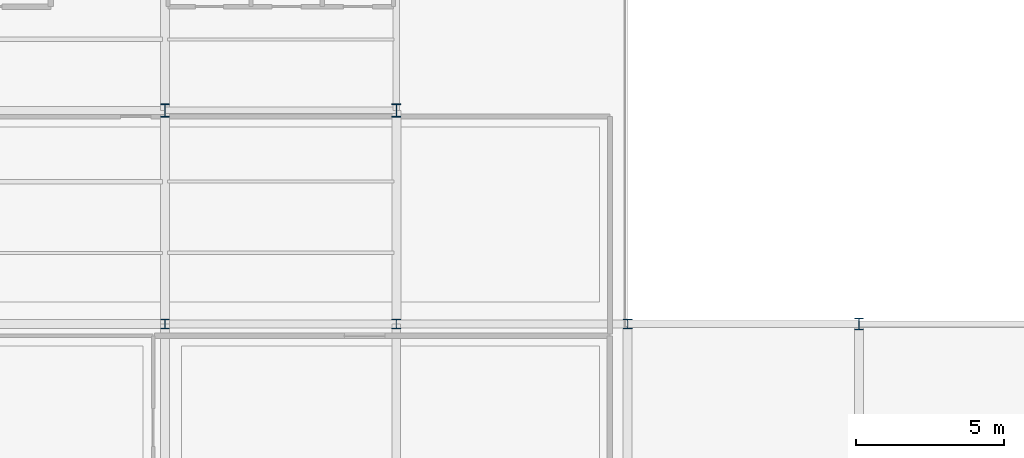
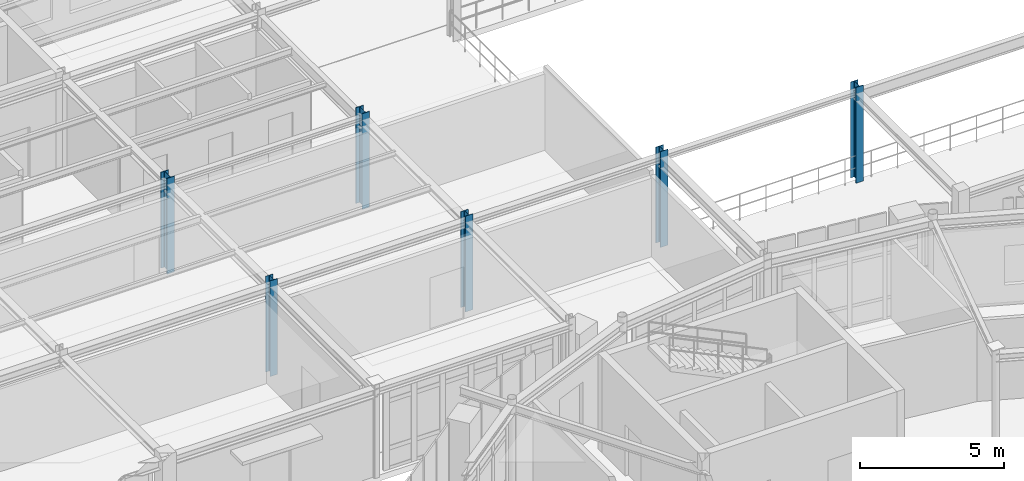
# One storey, part 13 of 70: 6 columns.
"""IFC4 building model written with IfcOpenShell, lengths in metres."""

from ifc_helpers import new_model, si_unit, derived_unit, direction, frame, origin, origin_2d, place, context, subcontext, project, spatial, i_section, extrude, material, material_profile, profile_set, type_object, element, save


model = new_model("IFC4")

# Units and contexts
model_context = context("Model", 3, precision=1e-05, world=origin(), true_north=direction((0.0, 1.0)))
body_context = subcontext(model_context, "Body", "Model", "MODEL_VIEW")
ifc_project = project(units=[si_unit("LENGTHUNIT", "METRE"), si_unit("AREAUNIT", "SQUARE_METRE"), si_unit("VOLUMEUNIT", "CUBIC_METRE"), si_unit("PLANEANGLEUNIT", "RADIAN"), si_unit("MASSUNIT", "GRAM", prefix="KILO"), derived_unit("THERMALTRANSMITTANCEUNIT", [(si_unit("POWERUNIT", "WATT"), 1), (si_unit("AREAUNIT", "SQUARE_METRE"), -1), (si_unit("THERMODYNAMICTEMPERATUREUNIT", "KELVIN"), -1)])], contexts=[model_context])

# Site, building, storey
site_placement = place(None, origin())
site = spatial("IfcSite", under=ifc_project, at=site_placement, CompositionType="ELEMENT")
building_placement = place(site_placement, origin())
building = spatial("IfcBuilding", under=site, at=building_placement, Name="Yasenodar Specialist Clinic", CompositionType="ELEMENT")
storey_placement = place(building_placement, frame((0.0, 0.0, 13.199951171875)))
storey = spatial("IfcBuildingStorey", under=building, at=storey_placement, Name="L03", CompositionType="ELEMENT", Elevation=13.199951171875)

# Columns
ifc_material = material(Name="Steel S355", Category="steel")
ifc_material_profile_1 = material_profile(ifc_material, i_section(OverallWidth=0.300048828125, OverallDepth=0.330078125, WebThickness=0.009521484375, FlangeThickness=0.0166015625, FilletRadius=0.027099609375, at=origin_2d()), Name="HEA 340")
ifc_profile_set_1 = profile_set([ifc_material_profile_1], Name="Steel S355")
column_type_1 = type_object("IfcColumnType", Name="COL-ST-HEA340", PredefinedType="COLUMN", material=ifc_profile_set_1)
for number, where, z_axis, x_axis, name in (
    (1, (65.39990234375, 90.0, 0.0), (0.0, 0.0, 1.0), (1.0, 0.0, 0.0), "L03 Column V5-094"),
    (2, (73.199951171875, 90.0, 0.0), (0.0, 0.0, 1.0), (1.0, 0.0, 0.0), "L03 Column V5-099"),
    (3, (81.0, 90.0, 0.0), (0.0, 0.0, 1.0), (1.0, 0.0, 0.0), "L03 Column V5-104"),
):
    element("IfcColumn", number, at=place(storey_placement, frame(where, z_axis=z_axis, x_axis=x_axis)), inside=storey, type_object=column_type_1, Name=name, PredefinedType="COLUMN", context=body_context, shape_type="SweptSolid", body=[
        extrude(i_section(OverallWidth=0.300048828125, OverallDepth=0.330078125, WebThickness=0.009521484375, FlangeThickness=0.0166015625, FilletRadius=0.027099609375, at=origin_2d()), origin(), (0.0, 0.0, 1.0), 4.050048828125),
    ])
ifc_material_profile_2 = material_profile(ifc_material, i_section(OverallWidth=0.300048828125, OverallDepth=0.389892578125, WebThickness=0.010986328125, FlangeThickness=0.01904296875, FilletRadius=0.027099609375, at=origin_2d()), Name="HEA 400")
ifc_profile_set_2 = profile_set([ifc_material_profile_2], Name="Steel S355")
column_type_2 = type_object("IfcColumnType", Name="COL-ST-HEA400", PredefinedType="COLUMN", material=ifc_profile_set_2)
column_placement = place(storey_placement, frame((88.800048828125, 90.0, 0.0), z_axis=(0.0, 0.0, 1.0), x_axis=(1.0, 0.0, 0.0)))
element("IfcColumn", 4, at=column_placement, inside=storey, type_object=column_type_2, Name="L03 Column V5-108", PredefinedType="COLUMN", context=body_context, shape_type="SweptSolid", body=[
    extrude(i_section(OverallWidth=0.300048828125, OverallDepth=0.389892578125, WebThickness=0.010986328125, FlangeThickness=0.01904296875, FilletRadius=0.027099609375, at=origin_2d()), origin(), (0.0, 0.0, 1.0), 4.050048828125),
])
ifc_material_profile_3 = material_profile(ifc_material, i_section(OverallWidth=0.300048828125, OverallDepth=0.449951171875, WebThickness=0.013916015625, FlangeThickness=0.02587890625, FilletRadius=0.027099609375, at=origin_2d()), Name="HEB 450")
ifc_profile_set_3 = profile_set([ifc_material_profile_3], Name="Steel S355")
column_type_3 = type_object("IfcColumnType", Name="COL-ST-HEB450", PredefinedType="COLUMN", material=ifc_profile_set_3)
for number, where, z_axis, x_axis, name in (
    (5, (65.39990234375, 97.199951171875, 0.0), (0.0, 0.0, 1.0), (1.0, 0.0, 0.0), "L03 Column V5-095"),
    (6, (73.199951171875, 97.199951171875, 0.0), (0.0, 0.0, 1.0), (1.0, 0.0, 0.0), "L03 Column V5-100"),
):
    element("IfcColumn", number, at=place(storey_placement, frame(where, z_axis=z_axis, x_axis=x_axis)), inside=storey, type_object=column_type_3, Name=name, PredefinedType="COLUMN", context=body_context, shape_type="SweptSolid", body=[
        extrude(i_section(OverallWidth=0.300048828125, OverallDepth=0.449951171875, WebThickness=0.013916015625, FlangeThickness=0.02587890625, FilletRadius=0.027099609375, at=origin_2d()), origin(), (0.0, 0.0, 1.0), 4.050048828125),
    ])

save(model, "model.ifc")
